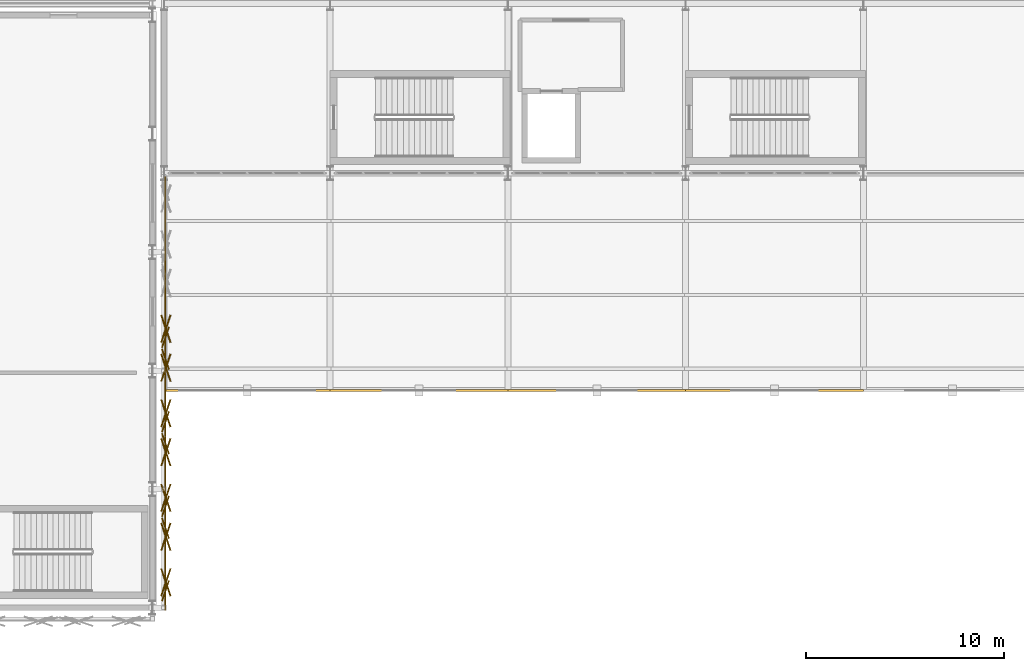
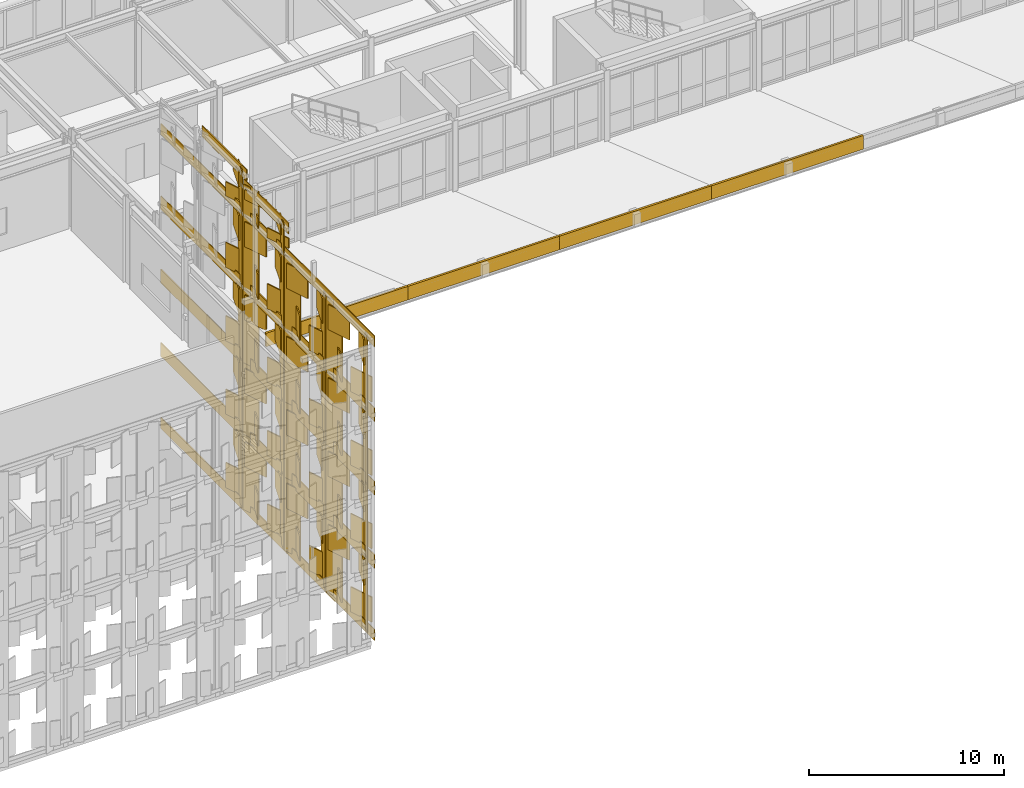
# One storey, part 221 of 239: 104 coverings.
"""IFC4 building model written with IfcOpenShell, lengths in metres."""

from ifc_helpers import new_model, si_unit, direction, frame, origin, origin_2d, place, context, subcontext, project, spatial, rectangle, extrude, material, layer, layer_set, type_object, element, save


model = new_model("IFC4")

# Units and contexts
model_context = context("Model", 3, precision=1e-05, world=origin(), true_north=direction((0.0, 1.0)))
body_context = subcontext(model_context, "Body", "Model", "MODEL_VIEW")
ifc_project = project(units=[si_unit("LENGTHUNIT", "METRE"), si_unit("AREAUNIT", "SQUARE_METRE"), si_unit("VOLUMEUNIT", "CUBIC_METRE"), si_unit("PLANEANGLEUNIT", "RADIAN"), si_unit("MASSUNIT", "GRAM", prefix="KILO")], contexts=[model_context])

# Site, building, storey
site_placement = place(None, origin())
site = spatial("IfcSite", under=ifc_project, at=site_placement, CompositionType="ELEMENT")
building_placement = place(site_placement, origin())
building = spatial("IfcBuilding", under=site, at=building_placement, Name="Kaldris Quays Convention Centre", CompositionType="ELEMENT")
storey_placement = place(building_placement, frame((0.0, 0.0, 11.39990234375)))
storey = spatial("IfcBuildingStorey", under=building, at=storey_placement, Name="L02", CompositionType="ELEMENT", Elevation=11.39990234375)

# Coverings
ifc_material = material(Name="Alabaster white star-pierced anodized aluminium panel", Category="aluminium")
ifc_layer = layer(ifc_material, 0.044921875)
ifc_layer_set = layer_set([ifc_layer], Name="Alabaster white star-pierced anodized aluminium panel")
covering_type = type_object("IfcCoveringType", Name="STAR PIERCED WHITE FOLDED SCREEN CL01", PredefinedType="CLADDING", material=ifc_layer_set)
covering_1_placement = place(storey_placement, frame((83.64990234375, 26.85009765625, -7.8896484375), z_axis=(0.0, 0.0, 1.0), x_axis=(0.0, 1.0, 0.0)))
element("IfcCovering", 1, at=covering_1_placement, inside=storey, type_object=covering_type, Name="V3E White Screen Folded Band 3449", PredefinedType="CLADDING", context=body_context, shape_type="SweptSolid", body=[
    extrude(rectangle(XDim=21.93994140625, YDim=0.054931640625, at=origin_2d()), origin(), (0.0, 0.0, 1.0), 0.679931640625),
])
for number, where, z_axis, x_axis, name in (
    (2, (83.64990234375, 26.85009765625, -3.3701171875), (0.0, 0.0, 1.0), (0.0, 1.0, 0.0), "V3E White Screen Folded Band 3450"),
    (3, (83.64990234375, 26.85009765625, 1.22998046875), (0.0, 0.0, 1.0), (0.0, 1.0, 0.0), "V3E White Screen Folded Band 3451"),
    (4, (83.64990234375, 26.85009765625, 5.830078125), (0.0, 0.0, 1.0), (0.0, 1.0, 0.0), "V3E White Screen Folded Band 3452"),
):
    element("IfcCovering", number, at=place(storey_placement, frame(where, z_axis=z_axis, x_axis=x_axis)), inside=storey, type_object=covering_type, Name=name, PredefinedType="CLADDING", context=body_context, shape_type="SweptSolid", body=[
        extrude(rectangle(XDim=21.93994140625, YDim=0.054931640625, at=origin_2d()), origin(), (0.0, 0.0, 1.0), 0.840087890625),
    ])
covering_2_placement = place(storey_placement, frame((83.64990234375, 26.85009765625, 10.51025390625), z_axis=(0.0, 0.0, 1.0), x_axis=(0.0, 1.0, 0.0)))
element("IfcCovering", 5, at=covering_2_placement, inside=storey, type_object=covering_type, Name="V3E White Screen Folded Band 3453", PredefinedType="CLADDING", context=body_context, shape_type="SweptSolid", body=[
    extrude(rectangle(XDim=21.93994140625, YDim=0.054931640625, at=origin_2d()), origin(), (0.0, 0.0, 1.0), 0.679931640625),
])
for number, where, z_axis, x_axis, name in (
    (6, (83.659912109375, 16.8564453125, -7.60986328125), (0.0, 0.0, 1.0), (0.325568154457, 0.945518575599, 0.0), "V3E Folded White Screen Stile 3454"),
    (7, (83.659912109375, 20.023681640625, -7.60986328125), (0.0, 0.0, 1.0), (-0.325568154457, 0.945518575599, 0.0), "V3E Folded White Screen Stile 3455"),
):
    element("IfcCovering", number, at=place(storey_placement, frame(where, z_axis=z_axis, x_axis=x_axis)), inside=storey, type_object=covering_type, Name=name, PredefinedType="CLADDING", context=body_context, shape_type="SweptSolid", body=[
        extrude(rectangle(XDim=1.0859375, YDim=0.054931640625, at=origin_2d()), origin(), (0.0, 0.0, 1.0), 4.719970703125),
    ])
for number, where, z_axis, x_axis, name in (
    (8, (83.679931640625, 17.284423828125, -7.27392578125), (0.0, 0.0, 1.0), (-0.325568154457, 0.945518575599, 0.0), "V3E Carved Star Corner Facet 3456"),
    (9, (83.679931640625, 17.284423828125, -4.789794921875), (0.0, 0.0, 1.0), (0.325568154457, 0.945518575599, 0.0), "V3E Carved Star Corner Facet 3457"),
    (10, (83.679931640625, 19.595703125, -7.27392578125), (0.0, 0.0, 1.0), (0.325568154457, 0.945518575599, 0.0), "V3E Carved Star Corner Facet 3458"),
    (11, (83.679931640625, 19.595703125, -4.789794921875), (0.0, 0.0, 1.0), (-0.325568154457, 0.945518575599, 0.0), "V3E Carved Star Corner Facet 3459"),
):
    element("IfcCovering", number, at=place(storey_placement, frame(where, z_axis=z_axis, x_axis=x_axis)), inside=storey, type_object=covering_type, Name=name, PredefinedType="CLADDING", context=body_context, shape_type="SweptSolid", body=[
        extrude(rectangle(XDim=1.455078125, YDim=0.06494140625, at=origin_2d()), origin(), (0.0, 0.0, 1.0), 1.56396484375),
    ])
for number, where, z_axis, x_axis, name in (
    (12, (83.659912109375, 16.8564453125, -3.009765625), (0.0, 0.0, 1.0), (0.325568154457, 0.945518575599, 0.0), "V3E Folded White Screen Stile 3460"),
    (13, (83.659912109375, 20.023681640625, -3.009765625), (0.0, 0.0, 1.0), (-0.325568154457, 0.945518575599, 0.0), "V3E Folded White Screen Stile 3461"),
):
    element("IfcCovering", number, at=place(storey_placement, frame(where, z_axis=z_axis, x_axis=x_axis)), inside=storey, type_object=covering_type, Name=name, PredefinedType="CLADDING", context=body_context, shape_type="SweptSolid", body=[
        extrude(rectangle(XDim=1.0859375, YDim=0.054931640625, at=origin_2d()), origin(), (0.0, 0.0, 1.0), 4.719970703125),
    ])
for number, where, z_axis, x_axis, name in (
    (14, (83.679931640625, 17.284423828125, -2.673828125), (0.0, 0.0, 1.0), (-0.325568154457, 0.945518575599, 0.0), "V3E Carved Star Corner Facet 3462"),
    (15, (83.679931640625, 17.284423828125, -0.18994140625), (0.0, 0.0, 1.0), (0.325568154457, 0.945518575599, 0.0), "V3E Carved Star Corner Facet 3463"),
    (16, (83.679931640625, 19.595703125, -2.673828125), (0.0, 0.0, 1.0), (0.325568154457, 0.945518575599, 0.0), "V3E Carved Star Corner Facet 3464"),
    (17, (83.679931640625, 19.595703125, -0.18994140625), (0.0, 0.0, 1.0), (-0.325568154457, 0.945518575599, 0.0), "V3E Carved Star Corner Facet 3465"),
):
    element("IfcCovering", number, at=place(storey_placement, frame(where, z_axis=z_axis, x_axis=x_axis)), inside=storey, type_object=covering_type, Name=name, PredefinedType="CLADDING", context=body_context, shape_type="SweptSolid", body=[
        extrude(rectangle(XDim=1.455078125, YDim=0.06494140625, at=origin_2d()), origin(), (0.0, 0.0, 1.0), 1.56396484375),
    ])
for number, where, z_axis, x_axis, name in (
    (18, (83.659912109375, 16.8564453125, 1.59033203125), (0.0, 0.0, 1.0), (0.325568154457, 0.945518575599, 0.0), "V3E Folded White Screen Stile 3466"),
    (19, (83.659912109375, 20.023681640625, 1.59033203125), (0.0, 0.0, 1.0), (-0.325568154457, 0.945518575599, 0.0), "V3E Folded White Screen Stile 3467"),
):
    element("IfcCovering", number, at=place(storey_placement, frame(where, z_axis=z_axis, x_axis=x_axis)), inside=storey, type_object=covering_type, Name=name, PredefinedType="CLADDING", context=body_context, shape_type="SweptSolid", body=[
        extrude(rectangle(XDim=1.0859375, YDim=0.054931640625, at=origin_2d()), origin(), (0.0, 0.0, 1.0), 4.719970703125),
    ])
for number, where, z_axis, x_axis, name in (
    (20, (83.679931640625, 17.284423828125, 1.926025390625), (0.0, 0.0, 1.0), (-0.325568154457, 0.945518575599, 0.0), "V3E Carved Star Corner Facet 3468"),
    (21, (83.679931640625, 17.284423828125, 4.41015625), (0.0, 0.0, 1.0), (0.325568154457, 0.945518575599, 0.0), "V3E Carved Star Corner Facet 3469"),
    (22, (83.679931640625, 19.595703125, 1.926025390625), (0.0, 0.0, 1.0), (0.325568154457, 0.945518575599, 0.0), "V3E Carved Star Corner Facet 3470"),
    (23, (83.679931640625, 19.595703125, 4.41015625), (0.0, 0.0, 1.0), (-0.325568154457, 0.945518575599, 0.0), "V3E Carved Star Corner Facet 3471"),
):
    element("IfcCovering", number, at=place(storey_placement, frame(where, z_axis=z_axis, x_axis=x_axis)), inside=storey, type_object=covering_type, Name=name, PredefinedType="CLADDING", context=body_context, shape_type="SweptSolid", body=[
        extrude(rectangle(XDim=1.455078125, YDim=0.06494140625, at=origin_2d()), origin(), (0.0, 0.0, 1.0), 1.56396484375),
    ])
for number, where, z_axis, x_axis, name in (
    (24, (83.659912109375, 16.8564453125, 6.18994140625), (0.0, 0.0, 1.0), (0.325568154457, 0.945518575599, 0.0), "V3E Folded White Screen Stile 3472"),
    (25, (83.659912109375, 20.023681640625, 6.18994140625), (0.0, 0.0, 1.0), (-0.325568154457, 0.945518575599, 0.0), "V3E Folded White Screen Stile 3473"),
):
    element("IfcCovering", number, at=place(storey_placement, frame(where, z_axis=z_axis, x_axis=x_axis)), inside=storey, type_object=covering_type, Name=name, PredefinedType="CLADDING", context=body_context, shape_type="SweptSolid", body=[
        extrude(rectangle(XDim=1.0859375, YDim=0.054931640625, at=origin_2d()), origin(), (0.0, 0.0, 1.0), 4.719970703125),
    ])
for number, where, z_axis, x_axis, name in (
    (26, (83.679931640625, 17.284423828125, 6.526123046875), (0.0, 0.0, 1.0), (-0.325568154457, 0.945518575599, 0.0), "V3E Carved Star Corner Facet 3474"),
    (27, (83.679931640625, 17.284423828125, 9.010009765625), (0.0, 0.0, 1.0), (0.325568154457, 0.945518575599, 0.0), "V3E Carved Star Corner Facet 3475"),
    (28, (83.679931640625, 19.595703125, 6.526123046875), (0.0, 0.0, 1.0), (0.325568154457, 0.945518575599, 0.0), "V3E Carved Star Corner Facet 3476"),
    (29, (83.679931640625, 19.595703125, 9.010009765625), (0.0, 0.0, 1.0), (-0.325568154457, 0.945518575599, 0.0), "V3E Carved Star Corner Facet 3477"),
):
    element("IfcCovering", number, at=place(storey_placement, frame(where, z_axis=z_axis, x_axis=x_axis)), inside=storey, type_object=covering_type, Name=name, PredefinedType="CLADDING", context=body_context, shape_type="SweptSolid", body=[
        extrude(rectangle(XDim=1.455078125, YDim=0.06494140625, at=origin_2d()), origin(), (0.0, 0.0, 1.0), 1.56396484375),
    ])
for number, where, z_axis, x_axis, name in (
    (30, (83.659912109375, 21.136474609375, -7.60986328125), (0.0, 0.0, 1.0), (0.325568154457, 0.945518575599, 0.0), "V3E Folded White Screen Stile 3478"),
    (31, (83.659912109375, 24.3037109375, -7.60986328125), (0.0, 0.0, 1.0), (-0.325568154457, 0.945518575599, 0.0), "V3E Folded White Screen Stile 3479"),
):
    element("IfcCovering", number, at=place(storey_placement, frame(where, z_axis=z_axis, x_axis=x_axis)), inside=storey, type_object=covering_type, Name=name, PredefinedType="CLADDING", context=body_context, shape_type="SweptSolid", body=[
        extrude(rectangle(XDim=1.0859375, YDim=0.054931640625, at=origin_2d()), origin(), (0.0, 0.0, 1.0), 4.719970703125),
    ])
for number, where, z_axis, x_axis, name in (
    (32, (83.679931640625, 21.564453125, -7.27392578125), (0.0, 0.0, 1.0), (-0.325568154457, 0.945518575599, 0.0), "V3E Carved Star Corner Facet 3480"),
    (33, (83.679931640625, 21.564453125, -4.789794921875), (0.0, 0.0, 1.0), (0.325568154457, 0.945518575599, 0.0), "V3E Carved Star Corner Facet 3481"),
    (34, (83.679931640625, 23.87548828125, -7.27392578125), (0.0, 0.0, 1.0), (0.325568154457, 0.945518575599, 0.0), "V3E Carved Star Corner Facet 3482"),
    (35, (83.679931640625, 23.87548828125, -4.789794921875), (0.0, 0.0, 1.0), (-0.325568154457, 0.945518575599, 0.0), "V3E Carved Star Corner Facet 3483"),
):
    element("IfcCovering", number, at=place(storey_placement, frame(where, z_axis=z_axis, x_axis=x_axis)), inside=storey, type_object=covering_type, Name=name, PredefinedType="CLADDING", context=body_context, shape_type="SweptSolid", body=[
        extrude(rectangle(XDim=1.455078125, YDim=0.06494140625, at=origin_2d()), origin(), (0.0, 0.0, 1.0), 1.56396484375),
    ])
for number, where, z_axis, x_axis, name in (
    (36, (83.659912109375, 21.136474609375, -3.009765625), (0.0, 0.0, 1.0), (0.325568154457, 0.945518575599, 0.0), "V3E Folded White Screen Stile 3484"),
    (37, (83.659912109375, 24.3037109375, -3.009765625), (0.0, 0.0, 1.0), (-0.325568154457, 0.945518575599, 0.0), "V3E Folded White Screen Stile 3485"),
):
    element("IfcCovering", number, at=place(storey_placement, frame(where, z_axis=z_axis, x_axis=x_axis)), inside=storey, type_object=covering_type, Name=name, PredefinedType="CLADDING", context=body_context, shape_type="SweptSolid", body=[
        extrude(rectangle(XDim=1.0859375, YDim=0.054931640625, at=origin_2d()), origin(), (0.0, 0.0, 1.0), 4.719970703125),
    ])
for number, where, z_axis, x_axis, name in (
    (38, (83.679931640625, 21.564453125, -2.673828125), (0.0, 0.0, 1.0), (-0.325568154457, 0.945518575599, 0.0), "V3E Carved Star Corner Facet 3486"),
    (39, (83.679931640625, 21.564453125, -0.18994140625), (0.0, 0.0, 1.0), (0.325568154457, 0.945518575599, 0.0), "V3E Carved Star Corner Facet 3487"),
    (40, (83.679931640625, 23.87548828125, -2.673828125), (0.0, 0.0, 1.0), (0.325568154457, 0.945518575599, 0.0), "V3E Carved Star Corner Facet 3488"),
    (41, (83.679931640625, 23.87548828125, -0.18994140625), (0.0, 0.0, 1.0), (-0.325568154457, 0.945518575599, 0.0), "V3E Carved Star Corner Facet 3489"),
):
    element("IfcCovering", number, at=place(storey_placement, frame(where, z_axis=z_axis, x_axis=x_axis)), inside=storey, type_object=covering_type, Name=name, PredefinedType="CLADDING", context=body_context, shape_type="SweptSolid", body=[
        extrude(rectangle(XDim=1.455078125, YDim=0.06494140625, at=origin_2d()), origin(), (0.0, 0.0, 1.0), 1.56396484375),
    ])
for number, where, z_axis, x_axis, name in (
    (42, (83.659912109375, 21.136474609375, 1.59033203125), (0.0, 0.0, 1.0), (0.325568154457, 0.945518575599, 0.0), "V3E Folded White Screen Stile 3490"),
    (43, (83.659912109375, 24.3037109375, 1.59033203125), (0.0, 0.0, 1.0), (-0.325568154457, 0.945518575599, 0.0), "V3E Folded White Screen Stile 3491"),
):
    element("IfcCovering", number, at=place(storey_placement, frame(where, z_axis=z_axis, x_axis=x_axis)), inside=storey, type_object=covering_type, Name=name, PredefinedType="CLADDING", context=body_context, shape_type="SweptSolid", body=[
        extrude(rectangle(XDim=1.0859375, YDim=0.054931640625, at=origin_2d()), origin(), (0.0, 0.0, 1.0), 4.719970703125),
    ])
for number, where, z_axis, x_axis, name in (
    (44, (83.679931640625, 21.564453125, 1.926025390625), (0.0, 0.0, 1.0), (-0.325568154457, 0.945518575599, 0.0), "V3E Carved Star Corner Facet 3492"),
    (45, (83.679931640625, 21.564453125, 4.41015625), (0.0, 0.0, 1.0), (0.325568154457, 0.945518575599, 0.0), "V3E Carved Star Corner Facet 3493"),
    (46, (83.679931640625, 23.87548828125, 1.926025390625), (0.0, 0.0, 1.0), (0.325568154457, 0.945518575599, 0.0), "V3E Carved Star Corner Facet 3494"),
    (47, (83.679931640625, 23.87548828125, 4.41015625), (0.0, 0.0, 1.0), (-0.325568154457, 0.945518575599, 0.0), "V3E Carved Star Corner Facet 3495"),
):
    element("IfcCovering", number, at=place(storey_placement, frame(where, z_axis=z_axis, x_axis=x_axis)), inside=storey, type_object=covering_type, Name=name, PredefinedType="CLADDING", context=body_context, shape_type="SweptSolid", body=[
        extrude(rectangle(XDim=1.455078125, YDim=0.06494140625, at=origin_2d()), origin(), (0.0, 0.0, 1.0), 1.56396484375),
    ])
for number, where, z_axis, x_axis, name in (
    (48, (83.659912109375, 21.136474609375, 6.18994140625), (0.0, 0.0, 1.0), (0.325568154457, 0.945518575599, 0.0), "V3E Folded White Screen Stile 3496"),
    (49, (83.659912109375, 24.3037109375, 6.18994140625), (0.0, 0.0, 1.0), (-0.325568154457, 0.945518575599, 0.0), "V3E Folded White Screen Stile 3497"),
):
    element("IfcCovering", number, at=place(storey_placement, frame(where, z_axis=z_axis, x_axis=x_axis)), inside=storey, type_object=covering_type, Name=name, PredefinedType="CLADDING", context=body_context, shape_type="SweptSolid", body=[
        extrude(rectangle(XDim=1.0859375, YDim=0.054931640625, at=origin_2d()), origin(), (0.0, 0.0, 1.0), 4.719970703125),
    ])
for number, where, z_axis, x_axis, name in (
    (50, (83.679931640625, 21.564453125, 6.526123046875), (0.0, 0.0, 1.0), (-0.325568154457, 0.945518575599, 0.0), "V3E Carved Star Corner Facet 3498"),
    (51, (83.679931640625, 21.564453125, 9.010009765625), (0.0, 0.0, 1.0), (0.325568154457, 0.945518575599, 0.0), "V3E Carved Star Corner Facet 3499"),
    (52, (83.679931640625, 23.87548828125, 6.526123046875), (0.0, 0.0, 1.0), (0.325568154457, 0.945518575599, 0.0), "V3E Carved Star Corner Facet 3500"),
    (53, (83.679931640625, 23.87548828125, 9.010009765625), (0.0, 0.0, 1.0), (-0.325568154457, 0.945518575599, 0.0), "V3E Carved Star Corner Facet 3501"),
):
    element("IfcCovering", number, at=place(storey_placement, frame(where, z_axis=z_axis, x_axis=x_axis)), inside=storey, type_object=covering_type, Name=name, PredefinedType="CLADDING", context=body_context, shape_type="SweptSolid", body=[
        extrude(rectangle(XDim=1.455078125, YDim=0.06494140625, at=origin_2d()), origin(), (0.0, 0.0, 1.0), 1.56396484375),
    ])
covering_3_placement = place(storey_placement, frame((83.64990234375, 27.0, 12.21826171875), z_axis=(0.0, 0.0, 1.0), x_axis=(0.0, 1.0, 0.0)))
element("IfcCovering", 54, at=covering_3_placement, inside=storey, type_object=covering_type, Name="V3E Gable White Screen Cap Band 3502", PredefinedType="CLADDING", context=body_context, shape_type="SweptSolid", body=[
    extrude(rectangle(XDim=4.580078125, YDim=0.054931640625, at=origin_2d()), origin(), (0.0, 0.0, 1.0), 0.679931640625),
])
for number, where, z_axis, x_axis, name in (
    (55, (83.659912109375, 25.41650390625, -7.60986328125), (0.0, 0.0, 1.0), (0.325568154457, 0.945518575599, 0.0), "V3E Folded White Screen Stile 3503"),
    (56, (83.659912109375, 28.58349609375, -7.60986328125), (0.0, 0.0, 1.0), (-0.325568154457, 0.945518575599, 0.0), "V3E Folded White Screen Stile 3504"),
):
    element("IfcCovering", number, at=place(storey_placement, frame(where, z_axis=z_axis, x_axis=x_axis)), inside=storey, type_object=covering_type, Name=name, PredefinedType="CLADDING", context=body_context, shape_type="SweptSolid", body=[
        extrude(rectangle(XDim=1.0859375, YDim=0.054931640625, at=origin_2d()), origin(), (0.0, 0.0, 1.0), 4.719970703125),
    ])
for number, where, z_axis, x_axis, name in (
    (57, (83.679931640625, 25.844482421875, -7.27392578125), (0.0, 0.0, 1.0), (-0.325568154457, 0.945518575599, 0.0), "V3E Carved Star Corner Facet 3505"),
    (58, (83.679931640625, 25.844482421875, -4.789794921875), (0.0, 0.0, 1.0), (0.325568154457, 0.945518575599, 0.0), "V3E Carved Star Corner Facet 3506"),
    (59, (83.679931640625, 28.155517578125, -7.27392578125), (0.0, 0.0, 1.0), (0.325568154457, 0.945518575599, 0.0), "V3E Carved Star Corner Facet 3507"),
    (60, (83.679931640625, 28.155517578125, -4.789794921875), (0.0, 0.0, 1.0), (-0.325568154457, 0.945518575599, 0.0), "V3E Carved Star Corner Facet 3508"),
):
    element("IfcCovering", number, at=place(storey_placement, frame(where, z_axis=z_axis, x_axis=x_axis)), inside=storey, type_object=covering_type, Name=name, PredefinedType="CLADDING", context=body_context, shape_type="SweptSolid", body=[
        extrude(rectangle(XDim=1.455078125, YDim=0.06494140625, at=origin_2d()), origin(), (0.0, 0.0, 1.0), 1.56396484375),
    ])
for number, where, z_axis, x_axis, name in (
    (61, (83.659912109375, 25.41650390625, -3.009765625), (0.0, 0.0, 1.0), (0.325568154457, 0.945518575599, 0.0), "V3E Folded White Screen Stile 3509"),
    (62, (83.659912109375, 28.58349609375, -3.009765625), (0.0, 0.0, 1.0), (-0.325568154457, 0.945518575599, 0.0), "V3E Folded White Screen Stile 3510"),
):
    element("IfcCovering", number, at=place(storey_placement, frame(where, z_axis=z_axis, x_axis=x_axis)), inside=storey, type_object=covering_type, Name=name, PredefinedType="CLADDING", context=body_context, shape_type="SweptSolid", body=[
        extrude(rectangle(XDim=1.0859375, YDim=0.054931640625, at=origin_2d()), origin(), (0.0, 0.0, 1.0), 4.719970703125),
    ])
for number, where, z_axis, x_axis, name in (
    (63, (83.679931640625, 25.844482421875, -2.673828125), (0.0, 0.0, 1.0), (-0.325568154457, 0.945518575599, 0.0), "V3E Carved Star Corner Facet 3511"),
    (64, (83.679931640625, 25.844482421875, -0.18994140625), (0.0, 0.0, 1.0), (0.325568154457, 0.945518575599, 0.0), "V3E Carved Star Corner Facet 3512"),
    (65, (83.679931640625, 28.155517578125, -2.673828125), (0.0, 0.0, 1.0), (0.325568154457, 0.945518575599, 0.0), "V3E Carved Star Corner Facet 3513"),
    (66, (83.679931640625, 28.155517578125, -0.18994140625), (0.0, 0.0, 1.0), (-0.325568154457, 0.945518575599, 0.0), "V3E Carved Star Corner Facet 3514"),
):
    element("IfcCovering", number, at=place(storey_placement, frame(where, z_axis=z_axis, x_axis=x_axis)), inside=storey, type_object=covering_type, Name=name, PredefinedType="CLADDING", context=body_context, shape_type="SweptSolid", body=[
        extrude(rectangle(XDim=1.455078125, YDim=0.06494140625, at=origin_2d()), origin(), (0.0, 0.0, 1.0), 1.56396484375),
    ])
for number, where, z_axis, x_axis, name in (
    (67, (83.659912109375, 25.41650390625, 1.59033203125), (0.0, 0.0, 1.0), (0.325568154457, 0.945518575599, 0.0), "V3E Folded White Screen Stile 3515"),
    (68, (83.659912109375, 28.58349609375, 1.59033203125), (0.0, 0.0, 1.0), (-0.325568154457, 0.945518575599, 0.0), "V3E Folded White Screen Stile 3516"),
):
    element("IfcCovering", number, at=place(storey_placement, frame(where, z_axis=z_axis, x_axis=x_axis)), inside=storey, type_object=covering_type, Name=name, PredefinedType="CLADDING", context=body_context, shape_type="SweptSolid", body=[
        extrude(rectangle(XDim=1.0859375, YDim=0.054931640625, at=origin_2d()), origin(), (0.0, 0.0, 1.0), 4.719970703125),
    ])
for number, where, z_axis, x_axis, name in (
    (69, (83.679931640625, 25.844482421875, 1.926025390625), (0.0, 0.0, 1.0), (-0.325568154457, 0.945518575599, 0.0), "V3E Carved Star Corner Facet 3517"),
    (70, (83.679931640625, 25.844482421875, 4.41015625), (0.0, 0.0, 1.0), (0.325568154457, 0.945518575599, 0.0), "V3E Carved Star Corner Facet 3518"),
    (71, (83.679931640625, 28.155517578125, 1.926025390625), (0.0, 0.0, 1.0), (0.325568154457, 0.945518575599, 0.0), "V3E Carved Star Corner Facet 3519"),
    (72, (83.679931640625, 28.155517578125, 4.41015625), (0.0, 0.0, 1.0), (-0.325568154457, 0.945518575599, 0.0), "V3E Carved Star Corner Facet 3520"),
):
    element("IfcCovering", number, at=place(storey_placement, frame(where, z_axis=z_axis, x_axis=x_axis)), inside=storey, type_object=covering_type, Name=name, PredefinedType="CLADDING", context=body_context, shape_type="SweptSolid", body=[
        extrude(rectangle(XDim=1.455078125, YDim=0.06494140625, at=origin_2d()), origin(), (0.0, 0.0, 1.0), 1.56396484375),
    ])
for number, where, z_axis, x_axis, name in (
    (73, (83.659912109375, 25.41650390625, 6.18994140625), (0.0, 0.0, 1.0), (0.325568154457, 0.945518575599, 0.0), "V3E Folded White Screen Stile 3521"),
    (74, (83.659912109375, 28.58349609375, 6.18994140625), (0.0, 0.0, 1.0), (-0.325568154457, 0.945518575599, 0.0), "V3E Folded White Screen Stile 3522"),
):
    element("IfcCovering", number, at=place(storey_placement, frame(where, z_axis=z_axis, x_axis=x_axis)), inside=storey, type_object=covering_type, Name=name, PredefinedType="CLADDING", context=body_context, shape_type="SweptSolid", body=[
        extrude(rectangle(XDim=1.0859375, YDim=0.054931640625, at=origin_2d()), origin(), (0.0, 0.0, 1.0), 4.719970703125),
    ])
for number, where, z_axis, x_axis, name in (
    (75, (83.679931640625, 25.844482421875, 6.526123046875), (0.0, 0.0, 1.0), (-0.325568154457, 0.945518575599, 0.0), "V3E Carved Star Corner Facet 3523"),
    (76, (83.679931640625, 25.844482421875, 9.010009765625), (0.0, 0.0, 1.0), (0.325568154457, 0.945518575599, 0.0), "V3E Carved Star Corner Facet 3524"),
    (77, (83.679931640625, 28.155517578125, 6.526123046875), (0.0, 0.0, 1.0), (0.325568154457, 0.945518575599, 0.0), "V3E Carved Star Corner Facet 3525"),
    (78, (83.679931640625, 28.155517578125, 9.010009765625), (0.0, 0.0, 1.0), (-0.325568154457, 0.945518575599, 0.0), "V3E Carved Star Corner Facet 3526"),
):
    element("IfcCovering", number, at=place(storey_placement, frame(where, z_axis=z_axis, x_axis=x_axis)), inside=storey, type_object=covering_type, Name=name, PredefinedType="CLADDING", context=body_context, shape_type="SweptSolid", body=[
        extrude(rectangle(XDim=1.455078125, YDim=0.06494140625, at=origin_2d()), origin(), (0.0, 0.0, 1.0), 1.56396484375),
    ])
for number, where, z_axis, x_axis, name in (
    (79, (83.659912109375, 25.41650390625, 10.7900390625), (0.0, 0.0, 1.0), (0.325568154457, 0.945518575599, 0.0), "V3E Folded White Screen Stile 3527"),
    (80, (83.659912109375, 28.58349609375, 10.7900390625), (0.0, 0.0, 1.0), (-0.325568154457, 0.945518575599, 0.0), "V3E Folded White Screen Stile 3528"),
):
    element("IfcCovering", number, at=place(storey_placement, frame(where, z_axis=z_axis, x_axis=x_axis)), inside=storey, type_object=covering_type, Name=name, PredefinedType="CLADDING", context=body_context, shape_type="SweptSolid", body=[
        extrude(rectangle(XDim=1.0859375, YDim=0.054931640625, at=origin_2d()), origin(), (0.0, 0.0, 1.0), 1.97802734375),
    ])
for number, where, z_axis, x_axis, name in (
    (81, (83.679931640625, 25.844482421875, 10.96142578125), (0.0, 0.0, 1.0), (-0.325568154457, 0.945518575599, 0.0), "V3E Carved Star Corner Facet 3529"),
    (82, (83.679931640625, 25.844482421875, 11.96484375), (0.0, 0.0, 1.0), (0.325568154457, 0.945518575599, 0.0), "V3E Carved Star Corner Facet 3530"),
    (83, (83.679931640625, 28.155517578125, 10.96142578125), (0.0, 0.0, 1.0), (0.325568154457, 0.945518575599, 0.0), "V3E Carved Star Corner Facet 3531"),
    (84, (83.679931640625, 28.155517578125, 11.96484375), (0.0, 0.0, 1.0), (-0.325568154457, 0.945518575599, 0.0), "V3E Carved Star Corner Facet 3532"),
):
    element("IfcCovering", number, at=place(storey_placement, frame(where, z_axis=z_axis, x_axis=x_axis)), inside=storey, type_object=covering_type, Name=name, PredefinedType="CLADDING", context=body_context, shape_type="SweptSolid", body=[
        extrude(rectangle(XDim=1.455078125, YDim=0.06494140625, at=origin_2d()), origin(), (0.0, 0.0, 1.0), 0.632080078125),
    ])
covering_4_placement = place(storey_placement, frame((83.64990234375, 31.280029296875, 12.9619140625), z_axis=(0.0, 0.0, 1.0), x_axis=(0.0, 1.0, 0.0)))
element("IfcCovering", 85, at=covering_4_placement, inside=storey, type_object=covering_type, Name="V3E Gable White Screen Cap Band 3533", PredefinedType="CLADDING", context=body_context, shape_type="SweptSolid", body=[
    extrude(rectangle(XDim=4.580078125, YDim=0.054931640625, at=origin_2d()), origin(), (0.0, 0.0, 1.0), 0.679931640625),
])
covering_5_placement = place(storey_placement, frame((83.659912109375, 29.6962890625, -7.60986328125), z_axis=(0.0, 0.0, 1.0), x_axis=(0.325568154457, 0.945518575599, 0.0)))
element("IfcCovering", 86, at=covering_5_placement, inside=storey, type_object=covering_type, Name="V3E Folded White Screen Stile 3534", PredefinedType="CLADDING", context=body_context, shape_type="SweptSolid", body=[
    extrude(rectangle(XDim=1.0859375, YDim=0.054931640625, at=origin_2d()), origin(), (0.0, 0.0, 1.0), 4.719970703125),
])
for number, where, z_axis, x_axis, name in (
    (87, (83.679931640625, 30.12451171875, -7.27392578125), (0.0, 0.0, 1.0), (-0.325568154457, 0.945518575599, 0.0), "V3E Carved Star Corner Facet 3536"),
    (88, (83.679931640625, 30.12451171875, -4.789794921875), (0.0, 0.0, 1.0), (0.325568154457, 0.945518575599, 0.0), "V3E Carved Star Corner Facet 3537"),
):
    element("IfcCovering", number, at=place(storey_placement, frame(where, z_axis=z_axis, x_axis=x_axis)), inside=storey, type_object=covering_type, Name=name, PredefinedType="CLADDING", context=body_context, shape_type="SweptSolid", body=[
        extrude(rectangle(XDim=1.455078125, YDim=0.06494140625, at=origin_2d()), origin(), (0.0, 0.0, 1.0), 1.56396484375),
    ])
covering_6_placement = place(storey_placement, frame((83.659912109375, 29.6962890625, -3.009765625), z_axis=(0.0, 0.0, 1.0), x_axis=(0.325568154457, 0.945518575599, 0.0)))
element("IfcCovering", 89, at=covering_6_placement, inside=storey, type_object=covering_type, Name="V3E Folded White Screen Stile 3540", PredefinedType="CLADDING", context=body_context, shape_type="SweptSolid", body=[
    extrude(rectangle(XDim=1.0859375, YDim=0.054931640625, at=origin_2d()), origin(), (0.0, 0.0, 1.0), 4.719970703125),
])
for number, where, z_axis, x_axis, name in (
    (90, (83.679931640625, 30.12451171875, -2.673828125), (0.0, 0.0, 1.0), (-0.325568154457, 0.945518575599, 0.0), "V3E Carved Star Corner Facet 3542"),
    (91, (83.679931640625, 30.12451171875, -0.18994140625), (0.0, 0.0, 1.0), (0.325568154457, 0.945518575599, 0.0), "V3E Carved Star Corner Facet 3543"),
):
    element("IfcCovering", number, at=place(storey_placement, frame(where, z_axis=z_axis, x_axis=x_axis)), inside=storey, type_object=covering_type, Name=name, PredefinedType="CLADDING", context=body_context, shape_type="SweptSolid", body=[
        extrude(rectangle(XDim=1.455078125, YDim=0.06494140625, at=origin_2d()), origin(), (0.0, 0.0, 1.0), 1.56396484375),
    ])
covering_7_placement = place(storey_placement, frame((83.659912109375, 29.6962890625, 1.59033203125), z_axis=(0.0, 0.0, 1.0), x_axis=(0.325568154457, 0.945518575599, 0.0)))
element("IfcCovering", 92, at=covering_7_placement, inside=storey, type_object=covering_type, Name="V3E Folded White Screen Stile 3546", PredefinedType="CLADDING", context=body_context, shape_type="SweptSolid", body=[
    extrude(rectangle(XDim=1.0859375, YDim=0.054931640625, at=origin_2d()), origin(), (0.0, 0.0, 1.0), 4.719970703125),
])
for number, where, z_axis, x_axis, name in (
    (93, (83.679931640625, 30.12451171875, 1.926025390625), (0.0, 0.0, 1.0), (-0.325568154457, 0.945518575599, 0.0), "V3E Carved Star Corner Facet 3548"),
    (94, (83.679931640625, 30.12451171875, 4.41015625), (0.0, 0.0, 1.0), (0.325568154457, 0.945518575599, 0.0), "V3E Carved Star Corner Facet 3549"),
):
    element("IfcCovering", number, at=place(storey_placement, frame(where, z_axis=z_axis, x_axis=x_axis)), inside=storey, type_object=covering_type, Name=name, PredefinedType="CLADDING", context=body_context, shape_type="SweptSolid", body=[
        extrude(rectangle(XDim=1.455078125, YDim=0.06494140625, at=origin_2d()), origin(), (0.0, 0.0, 1.0), 1.56396484375),
    ])
covering_8_placement = place(storey_placement, frame((83.659912109375, 29.6962890625, 6.18994140625), z_axis=(0.0, 0.0, 1.0), x_axis=(0.325568154457, 0.945518575599, 0.0)))
element("IfcCovering", 95, at=covering_8_placement, inside=storey, type_object=covering_type, Name="V3E Folded White Screen Stile 3552", PredefinedType="CLADDING", context=body_context, shape_type="SweptSolid", body=[
    extrude(rectangle(XDim=1.0859375, YDim=0.054931640625, at=origin_2d()), origin(), (0.0, 0.0, 1.0), 4.719970703125),
])
for number, where, z_axis, x_axis, name in (
    (96, (83.679931640625, 30.12451171875, 6.526123046875), (0.0, 0.0, 1.0), (-0.325568154457, 0.945518575599, 0.0), "V3E Carved Star Corner Facet 3554"),
    (97, (83.679931640625, 30.12451171875, 9.010009765625), (0.0, 0.0, 1.0), (0.325568154457, 0.945518575599, 0.0), "V3E Carved Star Corner Facet 3555"),
):
    element("IfcCovering", number, at=place(storey_placement, frame(where, z_axis=z_axis, x_axis=x_axis)), inside=storey, type_object=covering_type, Name=name, PredefinedType="CLADDING", context=body_context, shape_type="SweptSolid", body=[
        extrude(rectangle(XDim=1.455078125, YDim=0.06494140625, at=origin_2d()), origin(), (0.0, 0.0, 1.0), 1.56396484375),
    ])
covering_9_placement = place(storey_placement, frame((83.659912109375, 29.6962890625, 10.7900390625), z_axis=(0.0, 0.0, 1.0), x_axis=(0.325568154457, 0.945518575599, 0.0)))
element("IfcCovering", 98, at=covering_9_placement, inside=storey, type_object=covering_type, Name="V3E Folded White Screen Stile 3558", PredefinedType="CLADDING", context=body_context, shape_type="SweptSolid", body=[
    extrude(rectangle(XDim=1.0859375, YDim=0.054931640625, at=origin_2d()), origin(), (0.0, 0.0, 1.0), 2.721923828125),
])
for number, where, z_axis, x_axis, name in (
    (99, (83.679931640625, 30.12451171875, 11.005859375), (0.0, 0.0, 1.0), (-0.325568154457, 0.945518575599, 0.0), "V3E Carved Star Corner Facet 3560"),
    (100, (83.679931640625, 30.12451171875, 12.4111328125), (0.0, 0.0, 1.0), (0.325568154457, 0.945518575599, 0.0), "V3E Carved Star Corner Facet 3561"),
):
    element("IfcCovering", number, at=place(storey_placement, frame(where, z_axis=z_axis, x_axis=x_axis)), inside=storey, type_object=covering_type, Name=name, PredefinedType="CLADDING", context=body_context, shape_type="SweptSolid", body=[
        extrude(rectangle(XDim=1.455078125, YDim=0.06494140625, at=origin_2d()), origin(), (0.0, 0.0, 1.0), 0.885009765625),
    ])
covering_10_placement = place(storey_placement, frame((87.800048828125, 27.0, 3.812744140625), z_axis=(0.0, 0.0, 1.0), x_axis=(1.0, 0.0, 0.0)))
element("IfcCovering", 101, at=covering_10_placement, inside=storey, type_object=covering_type, Name="WR-SOUTH-ENTRY Alabaster White Wing Leading Fascia 10", PredefinedType="CLADDING", context=body_context, shape_type="SweptSolid", body=[
    extrude(rectangle(XDim=8.39990234375, YDim=0.1201171875, at=origin_2d()), origin(), (0.0, 0.0, 1.0), 0.85009765625),
])
for number, where, z_axis, x_axis, name in (
    (102, (96.5, 27.0, 3.812744140625), (0.0, 0.0, 1.0), (1.0, 0.0, 0.0), "WR-SOUTH-ENTRY Alabaster White Wing Leading Fascia 11"),
    (103, (105.5, 27.0, 3.812744140625), (0.0, 0.0, 1.0), (1.0, 0.0, 0.0), "WR-SOUTH-ENTRY Alabaster White Wing Leading Fascia 12"),
    (104, (114.5, 27.0, 3.812744140625), (0.0, 0.0, 1.0), (1.0, 0.0, 0.0), "WR-SOUTH-ENTRY Alabaster White Wing Leading Fascia 13"),
):
    element("IfcCovering", number, at=place(storey_placement, frame(where, z_axis=z_axis, x_axis=x_axis)), inside=storey, type_object=covering_type, Name=name, PredefinedType="CLADDING", context=body_context, shape_type="SweptSolid", body=[
        extrude(rectangle(XDim=9.0, YDim=0.1201171875, at=origin_2d()), origin(), (0.0, 0.0, 1.0), 0.85009765625),
    ])

save(model, "model.ifc")
